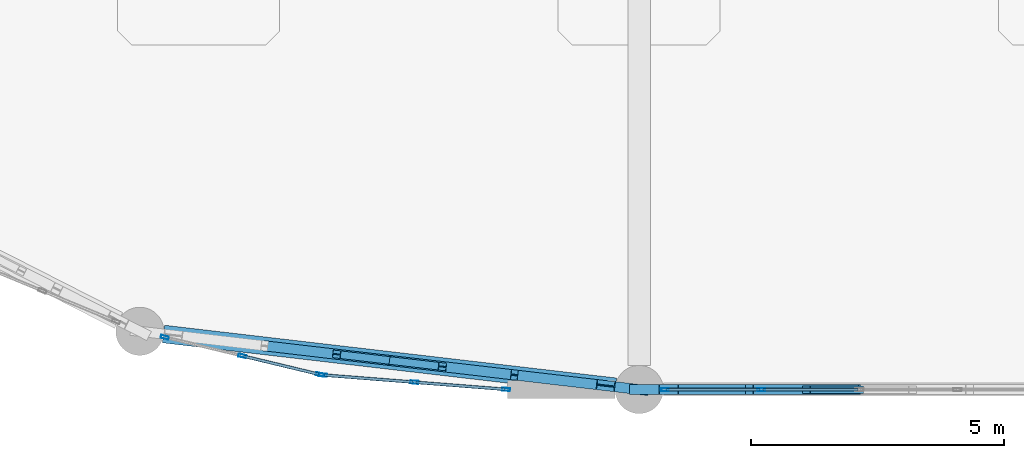
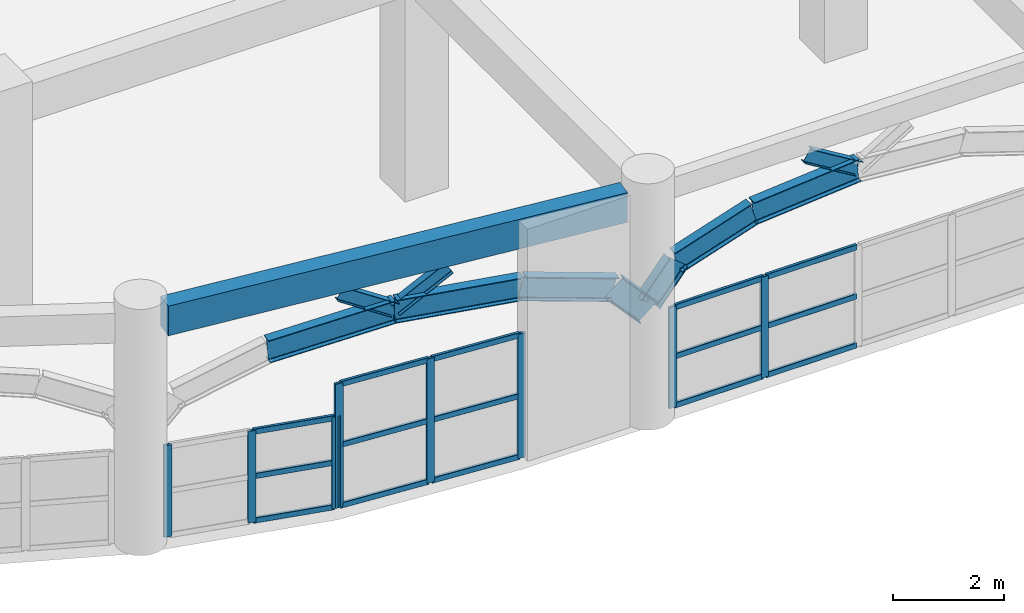
# One storey, part 5 of 114: 26 members, 8 beams, 3 elements without a shape of their own.
"""IFC4 building model written with IfcOpenShell, lengths in metres."""

import ifcopenshell
import ifcopenshell.guid

model = None  # the IFC model being written
_history = None  # IfcOwnerHistory: only IFC2X3 demands one
_inside = {}  # id of a spatial element -> (the spatial element, [elements in it])
_under = {}  # id of a project, library or spatial element -> (it, [spatial elements below it])
_declared = {}  # id of a project -> (the project, [libraries it declares])
_typed = {}  # id of a type object -> (the type object, [elements of that type])
_made_of = {}  # id of a material, layer set ... -> (it, [elements and type objects made of it])


def new_model(schema):
    """Start an empty IFC model of exactly this schema.

    Asked for "IFC4X3", IfcOpenShell would pick the latest addendum, in which some entities
    have other attributes; the version numbers below select the first issue.
    IFC2X3 requires an IfcOwnerHistory on every rooted entity: one is made here for all.
    """
    global model, _history
    if schema == "IFC4X3":
        model = ifcopenshell.file(schema_version=(4, 3, 0, 0))
    else:
        model = ifcopenshell.file(schema=schema)
    _inside.clear()
    _under.clear()
    _declared.clear()
    _typed.clear()
    _made_of.clear()
    _history = None
    if model.schema == "IFC2X3":
        org = make("IfcOrganization", Name="unknown")
        user = make(
            "IfcPersonAndOrganization",
            ThePerson=make("IfcPerson", FamilyName="unknown"),
            TheOrganization=org,
        )
        app = make(
            "IfcApplication",
            ApplicationDeveloper=org,
            Version="unknown",
            ApplicationFullName="unknown",
            ApplicationIdentifier="unknown",
        )
        _history = make(
            "IfcOwnerHistory",
            OwningUser=user,
            OwningApplication=app,
            ChangeAction="ADDED",
            CreationDate=0,
        )
    return model


def make(cls, **values):
    """One entity of the class cls with the attributes given. An attribute that is None is left unset."""
    return model.create_entity(
        cls, **{name: value for name, value in values.items() if value is not None}
    )


def rooted(cls, **values):
    """An entity with a GlobalId (a new one), such as an element, a storey or a relation."""
    return make(cls, GlobalId=ifcopenshell.guid.new(), OwnerHistory=_history, **values)


def si_unit(unit_type, name, prefix=None):
    """IfcSIUnit, for example si_unit("LENGTHUNIT", "METRE", prefix="MILLI")."""
    return make("IfcSIUnit", UnitType=unit_type, Prefix=prefix, Name=name)


def derived_unit(unit_type, elements):
    """IfcDerivedUnit: a product of units, each with its exponent."""
    return make(
        "IfcDerivedUnit",
        Elements=[
            make("IfcDerivedUnitElement", Unit=unit, Exponent=power)
            for unit, power in elements
        ],
        UnitType=unit_type,
    )


def assignment(units):
    """IfcUnitAssignment: the units of a project."""
    return None if units is None else make("IfcUnitAssignment", Units=units)


def point(xyz):
    """IfcCartesianPoint."""
    return None if xyz is None else make("IfcCartesianPoint", Coordinates=xyz)


def direction(xyz):
    """IfcDirection."""
    return None if xyz is None else make("IfcDirection", DirectionRatios=xyz)


def frame(location, z_axis=None, x_axis=None):
    """IfcAxis2Placement3D, a coordinate frame: its origin and axes. An axis left out is left unset."""
    return make(
        "IfcAxis2Placement3D",
        Location=point(location),
        Axis=direction(z_axis),
        RefDirection=direction(x_axis),
    )


def frame_2d(location, x_axis=None):
    """IfcAxis2Placement2D, a coordinate frame in the plane: its origin and x axis."""
    return make(
        "IfcAxis2Placement2D", Location=point(location), RefDirection=direction(x_axis)
    )


def origin():
    """The frame at (0, 0, 0) with its axes left unset."""
    return frame((0.0, 0.0, 0.0))


def origin_2d():
    """The frame at (0, 0) in the plane with its x axis left unset."""
    return frame_2d((0.0, 0.0))


def place(relative_to, where):
    """IfcLocalPlacement: puts the frame where relative to a parent placement (None: the world)."""
    return make(
        "IfcLocalPlacement", PlacementRelTo=relative_to, RelativePlacement=where
    )


def context(
    kind, dimensions, precision=None, world=None, true_north=None, identifier=None
):
    """IfcGeometricRepresentationContext, for example the 3D "Model" context."""
    return make(
        "IfcGeometricRepresentationContext",
        ContextIdentifier=identifier,
        ContextType=kind,
        CoordinateSpaceDimension=dimensions,
        Precision=precision,
        WorldCoordinateSystem=world,
        TrueNorth=true_north,
    )


def subcontext(parent, identifier, kind, view, scale=None):
    """IfcGeometricRepresentationSubContext, for example "Body" below "Model"."""
    return make(
        "IfcGeometricRepresentationSubContext",
        ContextIdentifier=identifier,
        ContextType=kind,
        ParentContext=parent,
        TargetScale=scale,
        TargetView=view,
    )


def project(units=None, contexts=None):
    """IfcProject with its units and contexts."""
    return rooted(
        "IfcProject",
        Name="project",
        RepresentationContexts=contexts,
        UnitsInContext=assignment(units),
    )


def spatial(cls, under=None, at=None, **own):
    """A site, building, storey or space (cls), placed at a placement, below another one or the project."""
    s = rooted(cls, ObjectPlacement=at, **own)
    if under is not None:
        _under.setdefault(under.id(), (under, []))[1].append(s)
    return s


def profile(cls, at=None, kind="AREA", **sizes):
    """A parametric profile (cls). Its sizes go by their IFC names, for example OverallWidth=200.0."""
    return make(cls, ProfileType=kind, Position=at, **sizes)


def rectangle(**sizes):
    """IfcRectangleProfileDef."""
    return profile("IfcRectangleProfileDef", **sizes)


def hollow_rectangle(**sizes):
    """IfcRectangleHollowProfileDef."""
    return profile("IfcRectangleHollowProfileDef", **sizes)


def i_section(**sizes):
    """IfcIShapeProfileDef."""
    return profile("IfcIShapeProfileDef", **sizes)


def extrude(swept, where, along, depth):
    """IfcExtrudedAreaSolid: the profile swept, set in the frame where, extruded along a direction by depth."""
    return make(
        "IfcExtrudedAreaSolid",
        SweptArea=swept,
        Position=where,
        ExtrudedDirection=direction(along),
        Depth=depth,
    )


def shape(context_of_items, identifier, shape_type, items):
    """IfcShapeRepresentation: the items that make up one representation, for example the "Body"."""
    return make(
        "IfcShapeRepresentation",
        ContextOfItems=context_of_items,
        RepresentationIdentifier=identifier,
        RepresentationType=shape_type,
        Items=items,
    )


def material(Name=None, Category=None):
    """IfcMaterial."""
    return make("IfcMaterial", Name=Name, Category=Category)


def layer(
    of_material, thickness, ventilated=None, Name=None, Category=None, Priority=None
):
    """IfcMaterialLayer: one layer of a wall or slab, of a material (None: an air gap)."""
    return make(
        "IfcMaterialLayer",
        Material=of_material,
        LayerThickness=thickness,
        IsVentilated=ventilated,
        Name=Name,
        Category=Category,
        Priority=Priority,
    )


def layer_set(layers, Name=None):
    """IfcMaterialLayerSet."""
    return make("IfcMaterialLayerSet", MaterialLayers=layers, LayerSetName=Name)


def material_profile(
    of_material, cross_section, Name=None, Category=None, Priority=None
):
    """IfcMaterialProfile: a cross section and its material."""
    return make(
        "IfcMaterialProfile",
        Name=Name,
        Material=of_material,
        Profile=cross_section,
        Priority=Priority,
        Category=Category,
    )


def profile_set(profiles, Name=None, composite=None):
    """IfcMaterialProfileSet."""
    return make(
        "IfcMaterialProfileSet",
        Name=Name,
        MaterialProfiles=profiles,
        CompositeProfile=composite,
    )


def made_of(thing, what):
    """Note that an element or type object is made of a material, layer set ...; save() writes the relation."""
    if what is not None:
        _made_of.setdefault(what.id(), (what, []))[1].append(thing)
    return thing


def type_object(cls, material=None, **own):
    """A type object (cls), such as IfcWallType, which elements share."""
    return made_of(rooted(cls, **own), material)


def element(
    cls,
    number,
    at=None,
    inside=None,
    cuts=None,
    type_object=None,
    material=None,
    context=None,
    identifier="Body",
    shape_type=None,
    held_by="IfcProductDefinitionShape",
    body=None,
    shapes=None,
    **own,
):
    """One element of the class cls, such as IfcWall. Its Tag is "e" and its number.

    at: its placement. inside: the storey or other place that contains it. cuts: it is an
    opening in that element (IfcRelVoidsElement). A single representation is given by context,
    identifier, shape_type and body (its items); several are given by shapes. held_by: the class
    of the entity that holds the representations. save() writes the other relations.
    """
    e = rooted(cls, Tag="e%d" % number, ObjectPlacement=at, **own)
    if body is not None:
        shapes = [shape(context, identifier, shape_type, body)]
    if shapes is not None:
        e.Representation = make(held_by, Representations=shapes)
    if inside is not None:
        _inside.setdefault(inside.id(), (inside, []))[1].append(e)
    if cuts is not None:
        rooted(
            "IfcRelVoidsElement", RelatingBuildingElement=cuts, RelatedOpeningElement=e
        )
    if type_object is not None:
        _typed.setdefault(type_object.id(), (type_object, []))[1].append(e)
    return made_of(e, material)


def aggregate(whole, parts):
    """IfcRelAggregates: a whole, such as a stair, and the parts it consists of."""
    return rooted("IfcRelAggregates", RelatingObject=whole, RelatedObjects=parts)


def save(model, path):
    """Write the relations noted so far, then the file.

    IfcRelAggregates (storeys below a building ...), IfcRelContainedInSpatialStructure (elements
    in a storey), IfcRelDefinesByType, IfcRelAssociatesMaterial and IfcRelDeclares: one each for
    every whole, place, type object, material and project.
    """
    for whole, parts in _under.values():
        aggregate(whole, parts)
    for where, things in _inside.values():
        rooted(
            "IfcRelContainedInSpatialStructure",
            RelatedElements=things,
            RelatingStructure=where,
        )
    for kind, things in _typed.values():
        rooted("IfcRelDefinesByType", RelatedObjects=things, RelatingType=kind)
    for what, things in _made_of.values():
        rooted("IfcRelAssociatesMaterial", RelatedObjects=things, RelatingMaterial=what)
    for by, libraries in _declared.values():
        rooted("IfcRelDeclares", RelatingContext=by, RelatedDefinitions=libraries)
    model.write(path)


model = new_model("IFC4")

# Units and contexts
model_context = context("Model", 3, precision=1e-05, world=origin(), true_north=direction((0.0, 1.0)))
body_context = subcontext(model_context, "Body", "Model", "MODEL_VIEW")
ifc_project = project(units=[si_unit("LENGTHUNIT", "METRE"), si_unit("AREAUNIT", "SQUARE_METRE"), si_unit("VOLUMEUNIT", "CUBIC_METRE"), si_unit("PLANEANGLEUNIT", "RADIAN"), si_unit("MASSUNIT", "GRAM", prefix="KILO"), derived_unit("THERMALTRANSMITTANCEUNIT", [(si_unit("MASSUNIT", "GRAM", prefix="KILO"), 1), (si_unit("TIMEUNIT", "SECOND"), -3), (si_unit("THERMODYNAMICTEMPERATUREUNIT", "KELVIN"), -1)])], contexts=[model_context])

# Site, building, storey
site_placement = place(None, origin())
site = spatial("IfcSite", under=ifc_project, at=site_placement, CompositionType="ELEMENT")
building_placement = place(site_placement, origin())
building = spatial("IfcBuilding", under=site, at=building_placement, Name="Qinzheling Arcade Emporium", CompositionType="ELEMENT")
storey_placement = place(building_placement, frame((0.0, 0.0, 6.0)))
storey = spatial("IfcBuildingStorey", under=building, at=storey_placement, Name="L02", CompositionType="ELEMENT", Elevation=6.0)

# Beams
ifc_material_1 = material(Name="Weathering steel Q355NH", Category="steel")
ifc_material_profile_1 = material_profile(ifc_material_1, i_section(OverallWidth=0.199951171875, OverallDepth=0.5, WebThickness=0.010009765625, FlangeThickness=0.01611328125, FilletRadius=0.01806640625, at=origin_2d()), Name="HN 500x200x10x16", Category="steel")
ifc_profile_set_1 = profile_set([ifc_material_profile_1], Name="Weathering steel Q355NH")
beam_type_1 = type_object("IfcBeamType", Name="Arcade End Arch Rib HN500 Q355NH", PredefinedType="BEAM", material=ifc_profile_set_1)
beam_1_placement = place(storey_placement, frame((18.702880859375, 0.863037109375, 3.509033203125), z_axis=(0.990322079125, -0.115689540973, 0.076668831391), x_axis=(0.116031065257, 0.993245584886, 0.0)))
element("IfcBeam", 1, at=beam_1_placement, inside=storey, type_object=beam_type_1, Name="Curved Arcade Entrance Arch ARC-L02-CV1-B05-C03", PredefinedType="BEAM", context=body_context, shape_type="SweptSolid", body=[
    extrude(i_section(OverallWidth=0.199951171875, OverallDepth=0.5, WebThickness=0.010009765625, FlangeThickness=0.01611328125, FilletRadius=0.01806640625, at=origin_2d()), origin(), (0.0, 0.0, 1.0), 2.490234375),
])
beam_2_placement = place(storey_placement, frame((21.1689453125, 0.574951171875, 3.699951171875), z_axis=(0.990370612922, -0.115250616043, -0.076702963188), x_axis=(0.115591148928, 0.993296877217, 0.0)))
element("IfcBeam", 2, at=beam_2_placement, inside=storey, type_object=beam_type_1, Name="Curved Arcade Entrance Arch ARC-L02-CV1-B05-C04", PredefinedType="BEAM", context=body_context, shape_type="SweptSolid", body=[
    extrude(i_section(OverallWidth=0.199951171875, OverallDepth=0.5, WebThickness=0.010009765625, FlangeThickness=0.01611328125, FilletRadius=0.01806640625, at=origin_2d()), origin(), (0.0, 0.0, 1.0), 2.489013671875),
])
beam_3_placement = place(storey_placement, frame((23.634033203125, 0.2880859375, 3.509033203125), z_axis=(0.954761406703, -0.11170953832, -0.275593242514), x_axis=(0.116209840616, 0.993224684019, 0.0)))
element("IfcBeam", 3, at=beam_3_placement, inside=storey, type_object=beam_type_1, Name="Curved Arcade Entrance Arch ARC-L02-CV1-B05-C05", PredefinedType="BEAM", context=body_context, shape_type="SweptSolid", body=[
    extrude(i_section(OverallWidth=0.199951171875, OverallDepth=0.5, WebThickness=0.010009765625, FlangeThickness=0.01611328125, FilletRadius=0.01806640625, at=origin_2d()), origin(), (0.0, 0.0, 1.0), 1.890380859375),
])
beam_4_placement = place(storey_placement, frame((25.43896484375, 0.076904296875, 2.988037109375), z_axis=(0.677747416855, -0.07883694103, -0.731056205552), x_axis=(0.115542940591, 0.993302486094, 0.0)))
element("IfcBeam", 4, at=beam_4_placement, inside=storey, type_object=beam_type_1, Name="Curved Arcade Entrance Arch ARC-L02-CV1-B05-C06", PredefinedType="BEAM", context=body_context, shape_type="SweptSolid", body=[
    extrude(i_section(OverallWidth=0.199951171875, OverallDepth=0.5, WebThickness=0.010009765625, FlangeThickness=0.01611328125, FilletRadius=0.01806640625, at=origin_2d()), origin(), (0.0, 0.0, 1.0), 0.9755859375),
])
beam_5_placement = place(storey_placement, frame((26.10009765625, 0.0, 2.47509765625), z_axis=(0.633064539161, 0.0, 0.774099017734), x_axis=(0.0, 1.0, 0.0)))
element("IfcBeam", 5, at=beam_5_placement, inside=storey, type_object=beam_type_1, Name="Street Entrance Arch ARC-L02-S01-C01", PredefinedType="BEAM", context=body_context, shape_type="SweptSolid", body=[
    extrude(i_section(OverallWidth=0.199951171875, OverallDepth=0.5, WebThickness=0.010009765625, FlangeThickness=0.01611328125, FilletRadius=0.01806640625, at=origin_2d()), origin(), (0.0, 0.0, 1.0), 0.9208984375),
])
beam_6_placement = place(storey_placement, frame((26.68310546875, 0.0, 3.18798828125), z_axis=(0.950389294243, 0.0, 0.311062999067), x_axis=(0.0, 1.0, 0.0)))
element("IfcBeam", 6, at=beam_6_placement, inside=storey, type_object=beam_type_1, Name="Street Entrance Arch ARC-L02-S01-C02", PredefinedType="BEAM", context=body_context, shape_type="SweptSolid", body=[
    extrude(i_section(OverallWidth=0.199951171875, OverallDepth=0.5, WebThickness=0.010009765625, FlangeThickness=0.01611328125, FilletRadius=0.01806640625, at=origin_2d()), origin(), (0.0, 0.0, 1.0), 1.6748046875),
])
beam_7_placement = place(storey_placement, frame((28.27490234375, 0.0, 3.708984375), z_axis=(0.9961697702, 0.0, 0.087440202076), x_axis=(0.0, 1.0, 0.0)))
element("IfcBeam", 7, at=beam_7_placement, inside=storey, type_object=beam_type_1, Name="Street Entrance Arch ARC-L02-S01-C03", PredefinedType="BEAM", context=body_context, shape_type="SweptSolid", body=[
    extrude(i_section(OverallWidth=0.199951171875, OverallDepth=0.5, WebThickness=0.010009765625, FlangeThickness=0.01611328125, FilletRadius=0.01806640625, at=origin_2d()), origin(), (0.0, 0.0, 1.0), 2.183349609375),
])

# Members
ifc_material_profile_2 = material_profile(ifc_material_1, i_section(OverallWidth=0.14990234375, OverallDepth=0.300048828125, WebThickness=0.006591796875, FlangeThickness=0.009033203125, FilletRadius=0.012939453125, at=origin_2d()), Name="HN 300x150x6.5x9", Category="steel")
ifc_profile_set_2 = profile_set([ifc_material_profile_2], Name="Weathering steel Q355NH")
member_type_1 = type_object("IfcMemberType", Name="Arcade Spandrel Web Chord HN300 Q355NH", PredefinedType="CHORD", material=ifc_profile_set_2)
for number, where, z_axis, x_axis, name in (
    (8, (21.1689453125, 0.574951171875, 3.7099609375), (-0.848065406353, 0.099258591568, 0.52051205418), (-0.116247689013, -0.993220254928, 0.0), "Arcade Spandrel Web Chord ASW-L02-CV1-B05-W1"),
    (9, (21.1689453125, 0.574951171875, 3.7099609375), (0.848065406353, -0.099258591568, 0.52051205418), (0.116247689013, 0.993220254928, 0.0), "Arcade Spandrel Web Chord ASW-L02-CV1-B05-W2"),
    (10, (30.449951171875, 0.0, 3.909912109375), (-0.853845673448, 0.0, 0.520526239428), (0.0, -1.0, 0.0), "Street Spandrel Web Chord ASW-L02-S01-W1"),
):
    element("IfcMember", number, at=place(storey_placement, frame(where, z_axis=z_axis, x_axis=x_axis)), inside=storey, type_object=member_type_1, Name=name, PredefinedType="CHORD", context=body_context, shape_type="SweptSolid", body=[
        extrude(i_section(OverallWidth=0.14990234375, OverallDepth=0.300048828125, WebThickness=0.006591796875, FlangeThickness=0.009033203125, FilletRadius=0.012939453125, at=origin_2d()), origin(), (0.0, 0.0, 1.0), 1.229736328125),
    ])

# Curtain wall, members
ifc_material_2 = material(Name="Anodised aluminium and solar-control double glazing", Category="aluminium")
ifc_layer_1 = layer(ifc_material_2, 0.159912109375, Name="Anodised aluminium and solar-control double glazing", Category="aluminium")
ifc_layer_set_1 = layer_set([ifc_layer_1], Name="Anodised aluminium and solar-control double glazing")
curtain_wall_type_1 = type_object("IfcCurtainWallType", Name="Arcade Portal Glazed Curtain Wall", PredefinedType="NOTDEFINED", material=ifc_layer_set_1)
curtain_wall_1_placement = place(storey_placement, origin())
curtain_wall_1 = element("IfcCurtainWall", 11, at=curtain_wall_1_placement, inside=storey, type_object=curtain_wall_type_1, Name="Curtain Wall CW-L02-072", PredefinedType="NOTDEFINED")
ifc_material_3 = material(Name="Anodised aluminium 6063-T6", Category="aluminium")
ifc_material_profile_3 = material_profile(ifc_material_3, hollow_rectangle(XDim=0.06005859375, YDim=0.159912109375, WallThickness=0.00390625, InnerFilletRadius=0.00390625, OuterFilletRadius=0.008056640625, at=origin_2d()), Name="RHS 160x60x4", Category="aluminium")
ifc_profile_set_3 = profile_set([ifc_material_profile_3], Name="Anodised aluminium 6063-T6")
member_type_2 = type_object("IfcMemberType", Name="Curtain Wall Mullion RHS160x60", PredefinedType="MULLION", material=ifc_profile_set_3)
member_1_placement = place(storey_placement, frame((28.513427734375, 0.0, 0.0), z_axis=(0.0, 0.0, 1.0), x_axis=(0.0, -1.0, 0.0)))
member_1 = element("IfcMember", 12, at=member_1_placement, type_object=member_type_2, Name="CW05 mullion 4", PredefinedType="MULLION", context=body_context, shape_type="SweptSolid", body=[
    extrude(hollow_rectangle(XDim=0.06005859375, YDim=0.159912109375, WallThickness=0.00390625, InnerFilletRadius=0.00390625, OuterFilletRadius=0.008056640625, at=origin_2d()), origin(), (0.0, 0.0, 1.0), 2.2099609375),
])
member_2_placement = place(storey_placement, frame((26.60693359375, 0.0, 0.0), z_axis=(0.0, 0.0, 1.0), x_axis=(0.0, -1.0, 0.0)))
member_2 = element("IfcMember", 13, at=member_2_placement, type_object=member_type_2, Name="CW05 mullion 5", PredefinedType="MULLION", context=body_context, shape_type="SweptSolid", body=[
    extrude(hollow_rectangle(XDim=0.06005859375, YDim=0.159912109375, WallThickness=0.00390625, InnerFilletRadius=0.00390625, OuterFilletRadius=0.008056640625, at=origin_2d()), origin(), (0.0, 0.0, 1.0), 2.2099609375),
])

ifc_layer_2 = layer(ifc_material_2, 0.159912109375, Name="Anodised aluminium and solar-control double glazing", Category="aluminium")
ifc_layer_set_2 = layer_set([ifc_layer_2], Name="Anodised aluminium and solar-control double glazing")
curtain_wall_type_2 = type_object("IfcCurtainWallType", Name="Curved Ribbon Sales Curtain Wall", PredefinedType="NOTDEFINED", material=ifc_layer_set_2)
curtain_wall_2_placement = place(storey_placement, origin())
curtain_wall_2 = element("IfcCurtainWall", 14, at=curtain_wall_2_placement, inside=storey, type_object=curtain_wall_type_2, Name="Curtain Wall CW-L02-073", PredefinedType="NOTDEFINED")
member_3_placement = place(storey_placement, frame((23.469970703125, 0.00244140625, 0.0), z_axis=(0.0, 0.0, 1.0), x_axis=(-0.078376222365, -0.996923852542, 0.0)))
member_3 = element("IfcMember", 15, at=member_3_placement, type_object=member_type_2, Name="CW02 mullion 1", PredefinedType="MULLION", context=body_context, shape_type="SweptSolid", body=[
    extrude(hollow_rectangle(XDim=0.06005859375, YDim=0.159912109375, WallThickness=0.00390625, InnerFilletRadius=0.00390625, OuterFilletRadius=0.008056640625, at=origin_2d()), origin(), (0.0, 0.0, 1.0), 2.722900390625),
])
member_4_placement = place(storey_placement, frame((21.662109375, 0.14453125, 0.0), z_axis=(0.0, 0.0, 1.0), x_axis=(-0.078376222365, -0.996923852542, 0.0)))
member_4 = element("IfcMember", 16, at=member_4_placement, type_object=member_type_2, Name="CW02 mullion 2", PredefinedType="MULLION", context=body_context, shape_type="SweptSolid", body=[
    extrude(hollow_rectangle(XDim=0.06005859375, YDim=0.159912109375, WallThickness=0.00390625, InnerFilletRadius=0.00390625, OuterFilletRadius=0.008056640625, at=origin_2d()), origin(), (0.0, 0.0, 1.0), 2.722900390625),
])
member_5_placement = place(storey_placement, frame((19.85400390625, 0.28662109375, 0.0), z_axis=(0.0, 0.0, 1.0), x_axis=(-0.078376222365, -0.996923852542, 0.0)))
member_5 = element("IfcMember", 17, at=member_5_placement, type_object=member_type_2, Name="CW02 mullion 3", PredefinedType="MULLION", context=body_context, shape_type="SweptSolid", body=[
    extrude(hollow_rectangle(XDim=0.06005859375, YDim=0.159912109375, WallThickness=0.00390625, InnerFilletRadius=0.00390625, OuterFilletRadius=0.008056640625, at=origin_2d()), origin(), (0.0, 0.0, 1.0), 2.722900390625),
])

curtain_wall_3_placement = place(storey_placement, origin())
curtain_wall_3 = element("IfcCurtainWall", 18, at=curtain_wall_3_placement, inside=storey, type_object=curtain_wall_type_2, Name="Curtain Wall CW-L02-074", PredefinedType="NOTDEFINED")
member_6_placement = place(storey_placement, frame((19.794921875, 0.2958984375, 0.0), z_axis=(0.0, 0.0, 1.0), x_axis=(-0.233584975646, -0.972336391972, 0.0)))
member_6 = element("IfcMember", 19, at=member_6_placement, type_object=member_type_2, Name="CW02 mullion 1", PredefinedType="MULLION", context=body_context, shape_type="SweptSolid", body=[
    extrude(hollow_rectangle(XDim=0.06005859375, YDim=0.159912109375, WallThickness=0.00390625, InnerFilletRadius=0.00390625, OuterFilletRadius=0.008056640625, at=origin_2d()), origin(), (0.0, 0.0, 1.0), 2.010009765625),
])
member_7_placement = place(storey_placement, frame((18.262939453125, 0.6640625, 0.0), z_axis=(0.0, 0.0, 1.0), x_axis=(-0.233584975646, -0.972336391972, 0.0)))
member_7 = element("IfcMember", 20, at=member_7_placement, type_object=member_type_2, Name="CW02 mullion 2", PredefinedType="MULLION", context=body_context, shape_type="SweptSolid", body=[
    extrude(hollow_rectangle(XDim=0.06005859375, YDim=0.159912109375, WallThickness=0.00390625, InnerFilletRadius=0.00390625, OuterFilletRadius=0.008056640625, at=origin_2d()), origin(), (0.0, 0.0, 1.0), 2.010009765625),
])
member_8_placement = place(storey_placement, frame((16.731201171875, 1.031982421875, 0.0), z_axis=(0.0, 0.0, 1.0), x_axis=(-0.233584975646, -0.972336391972, 0.0)))
member_8 = element("IfcMember", 21, at=member_8_placement, type_object=member_type_2, Name="CW02 mullion 3", PredefinedType="MULLION", context=body_context, shape_type="SweptSolid", body=[
    extrude(hollow_rectangle(XDim=0.06005859375, YDim=0.159912109375, WallThickness=0.00390625, InnerFilletRadius=0.00390625, OuterFilletRadius=0.008056640625, at=origin_2d()), origin(), (0.0, 0.0, 1.0), 2.010009765625),
])

# Member
ifc_material_profile_4 = material_profile(ifc_material_3, hollow_rectangle(XDim=0.06005859375, YDim=0.1201171875, WallThickness=0.00390625, InnerFilletRadius=0.00390625, OuterFilletRadius=0.008056640625, at=origin_2d()), Name="RHS 120x60x4", Category="aluminium")
ifc_profile_set_4 = profile_set([ifc_material_profile_4], Name="Anodised aluminium 6063-T6")
member_type_3 = type_object("IfcMemberType", Name="Curtain Wall Transom RHS120x60", PredefinedType="USERDEFINED", material=ifc_profile_set_4)
member_9_placement = place(storey_placement, frame((30.419921875, 0.0, 0.030029296875), z_axis=(-1.0, 0.0, 0.0), x_axis=(0.0, -1.0, 0.0)))
member_9 = element("IfcMember", 22, at=member_9_placement, type_object=member_type_3, Name="CW05 transom 3.1", ObjectType="TRANSOM", PredefinedType="USERDEFINED", context=body_context, shape_type="SweptSolid", body=[
    extrude(hollow_rectangle(XDim=0.06005859375, YDim=0.1201171875, WallThickness=0.00390625, InnerFilletRadius=0.00390625, OuterFilletRadius=0.008056640625, at=origin_2d()), origin(), (0.0, 0.0, 1.0), 1.87646484375),
])

member_10_placement = place(storey_placement, frame((30.419921875, 0.0, 1.10498046875), z_axis=(-1.0, 0.0, 0.0), x_axis=(0.0, -1.0, 0.0)))
member_10 = element("IfcMember", 23, at=member_10_placement, type_object=member_type_3, Name="CW05 transom 3.2", ObjectType="TRANSOM", PredefinedType="USERDEFINED", context=body_context, shape_type="SweptSolid", body=[
    extrude(hollow_rectangle(XDim=0.06005859375, YDim=0.1201171875, WallThickness=0.00390625, InnerFilletRadius=0.00390625, OuterFilletRadius=0.008056640625, at=origin_2d()), origin(), (0.0, 0.0, 1.0), 1.87646484375),
])

member_11_placement = place(storey_placement, frame((30.419921875, 0.0, 2.179931640625), z_axis=(-1.0, 0.0, 0.0), x_axis=(0.0, -1.0, 0.0)))
member_11 = element("IfcMember", 24, at=member_11_placement, type_object=member_type_3, Name="CW05 transom 3.3", ObjectType="TRANSOM", PredefinedType="USERDEFINED", context=body_context, shape_type="SweptSolid", body=[
    extrude(hollow_rectangle(XDim=0.06005859375, YDim=0.1201171875, WallThickness=0.00390625, InnerFilletRadius=0.00390625, OuterFilletRadius=0.008056640625, at=origin_2d()), origin(), (0.0, 0.0, 1.0), 1.87646484375),
])

member_12_placement = place(storey_placement, frame((28.4833984375, 0.0, 0.030029296875), z_axis=(-1.0, 0.0, 0.0), x_axis=(0.0, -1.0, 0.0)))
member_12 = element("IfcMember", 25, at=member_12_placement, type_object=member_type_3, Name="CW05 transom 4.1", ObjectType="TRANSOM", PredefinedType="USERDEFINED", context=body_context, shape_type="SweptSolid", body=[
    extrude(hollow_rectangle(XDim=0.06005859375, YDim=0.1201171875, WallThickness=0.00390625, InnerFilletRadius=0.00390625, OuterFilletRadius=0.008056640625, at=origin_2d()), origin(), (0.0, 0.0, 1.0), 1.846435546875),
])

member_13_placement = place(storey_placement, frame((28.4833984375, 0.0, 1.10498046875), z_axis=(-1.0, 0.0, 0.0), x_axis=(0.0, -1.0, 0.0)))
member_13 = element("IfcMember", 26, at=member_13_placement, type_object=member_type_3, Name="CW05 transom 4.2", ObjectType="TRANSOM", PredefinedType="USERDEFINED", context=body_context, shape_type="SweptSolid", body=[
    extrude(hollow_rectangle(XDim=0.06005859375, YDim=0.1201171875, WallThickness=0.00390625, InnerFilletRadius=0.00390625, OuterFilletRadius=0.008056640625, at=origin_2d()), origin(), (0.0, 0.0, 1.0), 1.846435546875),
])

member_14_placement = place(storey_placement, frame((28.4833984375, 0.0, 2.179931640625), z_axis=(-1.0, 0.0, 0.0), x_axis=(0.0, -1.0, 0.0)))
member_14 = element("IfcMember", 27, at=member_14_placement, type_object=member_type_3, Name="CW05 transom 4.3", ObjectType="TRANSOM", PredefinedType="USERDEFINED", context=body_context, shape_type="SweptSolid", body=[
    extrude(hollow_rectangle(XDim=0.06005859375, YDim=0.1201171875, WallThickness=0.00390625, InnerFilletRadius=0.00390625, OuterFilletRadius=0.008056640625, at=origin_2d()), origin(), (0.0, 0.0, 1.0), 1.846435546875),
])

aggregate(curtain_wall_1, [member_1, member_2, member_9, member_10, member_11, member_12, member_13, member_14])

member_15_placement = place(storey_placement, frame((23.440185546875, 0.004638671875, 0.030029296875), z_axis=(-0.996923677954, 0.078378443051, 0.0), x_axis=(-0.078378443051, -0.996923677954, 0.0)))
member_15 = element("IfcMember", 28, at=member_15_placement, type_object=member_type_3, Name="CW02 transom 1.1", ObjectType="TRANSOM", PredefinedType="USERDEFINED", context=body_context, shape_type="SweptSolid", body=[
    extrude(hollow_rectangle(XDim=0.06005859375, YDim=0.1201171875, WallThickness=0.00390625, InnerFilletRadius=0.00390625, OuterFilletRadius=0.008056640625, at=origin_2d()), origin(), (0.0, 0.0, 1.0), 1.753662109375),
])

member_16_placement = place(storey_placement, frame((23.440185546875, 0.004638671875, 1.362060546875), z_axis=(-0.996923677954, 0.078378443051, 0.0), x_axis=(-0.078378443051, -0.996923677954, 0.0)))
member_16 = element("IfcMember", 29, at=member_16_placement, type_object=member_type_3, Name="CW02 transom 1.2", ObjectType="TRANSOM", PredefinedType="USERDEFINED", context=body_context, shape_type="SweptSolid", body=[
    extrude(hollow_rectangle(XDim=0.06005859375, YDim=0.1201171875, WallThickness=0.00390625, InnerFilletRadius=0.00390625, OuterFilletRadius=0.008056640625, at=origin_2d()), origin(), (0.0, 0.0, 1.0), 1.753662109375),
])

member_17_placement = place(storey_placement, frame((23.440185546875, 0.004638671875, 2.693115234375), z_axis=(-0.996923677954, 0.078378443051, 0.0), x_axis=(-0.078378443051, -0.996923677954, 0.0)))
member_17 = element("IfcMember", 30, at=member_17_placement, type_object=member_type_3, Name="CW02 transom 1.3", ObjectType="TRANSOM", PredefinedType="USERDEFINED", context=body_context, shape_type="SweptSolid", body=[
    extrude(hollow_rectangle(XDim=0.06005859375, YDim=0.1201171875, WallThickness=0.00390625, InnerFilletRadius=0.00390625, OuterFilletRadius=0.008056640625, at=origin_2d()), origin(), (0.0, 0.0, 1.0), 1.753662109375),
])

member_18_placement = place(storey_placement, frame((21.632080078125, 0.14697265625, 0.030029296875), z_axis=(-0.996934546414, 0.078240080308, 0.0), x_axis=(-0.078240080308, -0.996934546414, 0.0)))
member_18 = element("IfcMember", 31, at=member_18_placement, type_object=member_type_3, Name="CW02 transom 2.1", ObjectType="TRANSOM", PredefinedType="USERDEFINED", context=body_context, shape_type="SweptSolid", body=[
    extrude(hollow_rectangle(XDim=0.06005859375, YDim=0.1201171875, WallThickness=0.00390625, InnerFilletRadius=0.00390625, OuterFilletRadius=0.008056640625, at=origin_2d()), origin(), (0.0, 0.0, 1.0), 1.753662109375),
])

member_19_placement = place(storey_placement, frame((21.632080078125, 0.14697265625, 1.362060546875), z_axis=(-0.996934546414, 0.078240080308, 0.0), x_axis=(-0.078240080308, -0.996934546414, 0.0)))
member_19 = element("IfcMember", 32, at=member_19_placement, type_object=member_type_3, Name="CW02 transom 2.2", ObjectType="TRANSOM", PredefinedType="USERDEFINED", context=body_context, shape_type="SweptSolid", body=[
    extrude(hollow_rectangle(XDim=0.06005859375, YDim=0.1201171875, WallThickness=0.00390625, InnerFilletRadius=0.00390625, OuterFilletRadius=0.008056640625, at=origin_2d()), origin(), (0.0, 0.0, 1.0), 1.753662109375),
])

member_20_placement = place(storey_placement, frame((21.632080078125, 0.14697265625, 2.693115234375), z_axis=(-0.996934546414, 0.078240080308, 0.0), x_axis=(-0.078240080308, -0.996934546414, 0.0)))
member_20 = element("IfcMember", 33, at=member_20_placement, type_object=member_type_3, Name="CW02 transom 2.3", ObjectType="TRANSOM", PredefinedType="USERDEFINED", context=body_context, shape_type="SweptSolid", body=[
    extrude(hollow_rectangle(XDim=0.06005859375, YDim=0.1201171875, WallThickness=0.00390625, InnerFilletRadius=0.00390625, OuterFilletRadius=0.008056640625, at=origin_2d()), origin(), (0.0, 0.0, 1.0), 1.753662109375),
])

aggregate(curtain_wall_2, [member_3, member_4, member_5, member_15, member_16, member_17, member_18, member_19, member_20])

member_21_placement = place(storey_placement, frame((19.765625, 0.302978515625, 0.030029296875), z_axis=(-0.972328772808, 0.233616689407, 0.0), x_axis=(-0.233616689407, -0.972328772808, 0.0)))
member_21 = element("IfcMember", 34, at=member_21_placement, type_object=member_type_3, Name="CW02 transom 1.1", ObjectType="TRANSOM", PredefinedType="USERDEFINED", context=body_context, shape_type="SweptSolid", body=[
    extrude(hollow_rectangle(XDim=0.06005859375, YDim=0.1201171875, WallThickness=0.00390625, InnerFilletRadius=0.00390625, OuterFilletRadius=0.008056640625, at=origin_2d()), origin(), (0.0, 0.0, 1.0), 1.515380859375),
])

member_22_placement = place(storey_placement, frame((19.765625, 0.302978515625, 1.0048828125), z_axis=(-0.972328772808, 0.233616689407, 0.0), x_axis=(-0.233616689407, -0.972328772808, 0.0)))
member_22 = element("IfcMember", 35, at=member_22_placement, type_object=member_type_3, Name="CW02 transom 1.2", ObjectType="TRANSOM", PredefinedType="USERDEFINED", context=body_context, shape_type="SweptSolid", body=[
    extrude(hollow_rectangle(XDim=0.06005859375, YDim=0.1201171875, WallThickness=0.00390625, InnerFilletRadius=0.00390625, OuterFilletRadius=0.008056640625, at=origin_2d()), origin(), (0.0, 0.0, 1.0), 1.515380859375),
])

member_23_placement = place(storey_placement, frame((19.765625, 0.302978515625, 1.97998046875), z_axis=(-0.972328772808, 0.233616689407, 0.0), x_axis=(-0.233616689407, -0.972328772808, 0.0)))
member_23 = element("IfcMember", 36, at=member_23_placement, type_object=member_type_3, Name="CW02 transom 1.3", ObjectType="TRANSOM", PredefinedType="USERDEFINED", context=body_context, shape_type="SweptSolid", body=[
    extrude(hollow_rectangle(XDim=0.06005859375, YDim=0.1201171875, WallThickness=0.00390625, InnerFilletRadius=0.00390625, OuterFilletRadius=0.008056640625, at=origin_2d()), origin(), (0.0, 0.0, 1.0), 1.515380859375),
])

aggregate(curtain_wall_3, [member_6, member_7, member_8, member_21, member_22, member_23])

# Beam
ifc_material_4 = material(Name="Concrete C40", Category="concrete")
ifc_material_profile_5 = material_profile(ifc_material_4, rectangle(XDim=0.35009765625, YDim=0.64990234375, at=origin_2d()), Name="RC 350x650", Category="concrete")
ifc_profile_set_5 = profile_set([ifc_material_profile_5], Name="Concrete C40")
beam_type_2 = type_object("IfcBeamType", Name="RC Spandrel Edge Beam 350x650 C40", PredefinedType="SPANDREL", material=ifc_profile_set_5)
beam_8_placement = place(storey_placement, frame((16.705078125, 1.095947265625, 4.794921875), z_axis=(0.99325808403, -0.115924020417, 0.0), x_axis=(0.115924020417, 0.99325808403, 0.0)))
element("IfcBeam", 37, at=beam_8_placement, inside=storey, type_object=beam_type_2, Name="Curved Arcade Spandrel BM-L02-CV1-B05", PredefinedType="SPANDREL", context=body_context, shape_type="SweptSolid", body=[
    extrude(rectangle(XDim=0.35009765625, YDim=0.64990234375, at=origin_2d()), origin(), (0.0, 0.0, 1.0), 8.988525390625),
])

save(model, "model.ifc")
